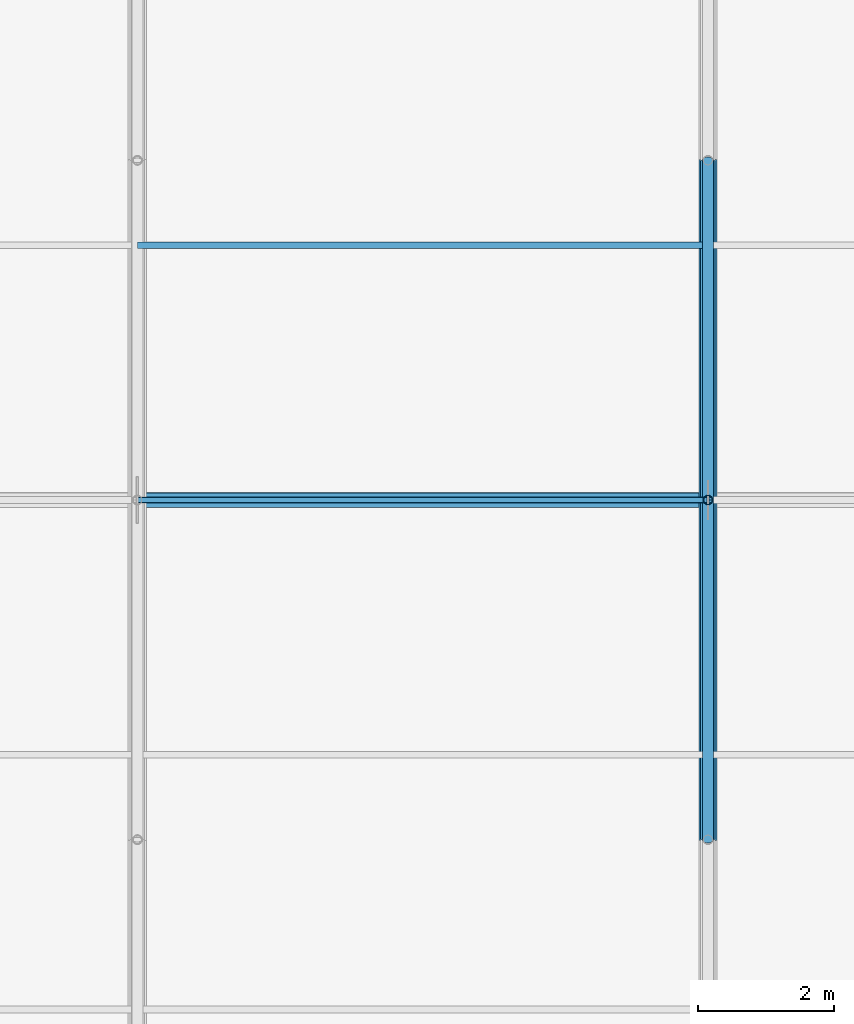
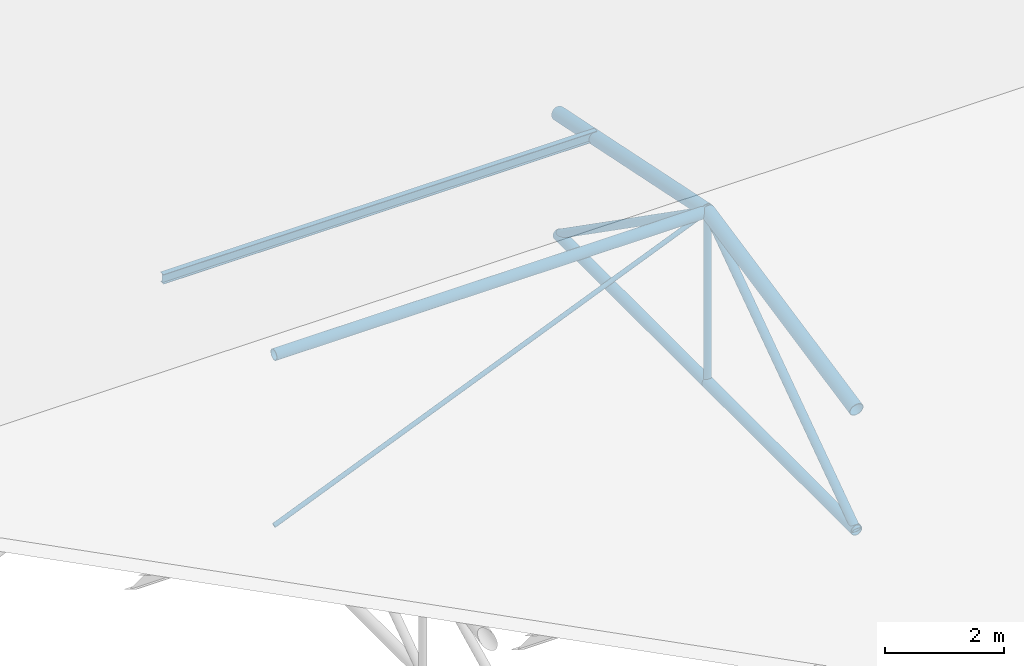
# One storey, part 43 of 194: 9 members, 1 beam.
"""IFC4 building model written with IfcOpenShell, lengths in metres."""

from ifc_helpers import new_model, si_unit, direction, frame, origin, origin_2d, place, context, subcontext, project, spatial, hollow_circle, i_section, extrude, material, material_profile, profile_set, type_object, element, save


model = new_model("IFC4")

# Units and contexts
model_context = context("Model", 3, precision=1e-05, world=origin(), true_north=direction((0.0, 1.0)))
body_context = subcontext(model_context, "Body", "Model", "MODEL_VIEW")
ifc_project = project(units=[si_unit("LENGTHUNIT", "METRE"), si_unit("AREAUNIT", "SQUARE_METRE"), si_unit("VOLUMEUNIT", "CUBIC_METRE"), si_unit("PLANEANGLEUNIT", "RADIAN"), si_unit("MASSUNIT", "GRAM", prefix="KILO")], contexts=[model_context])

# Site, building, storey
site_placement = place(None, origin())
site = spatial("IfcSite", under=ifc_project, at=site_placement, CompositionType="ELEMENT")
building_placement = place(site_placement, origin())
building = spatial("IfcBuilding", under=site, at=building_placement, Name="Kazenagashi Tramway Depot", CompositionType="ELEMENT")
storey_placement = place(building_placement, frame((0.0, 0.0, 23.7)))
storey = spatial("IfcBuildingStorey", under=building, at=storey_placement, Name="ROOF", CompositionType="ELEMENT", Elevation=23.7)

# Beam
ifc_material_1 = material(Name="Steel SN400B", Category="steel")
ifc_material_profile_1 = material_profile(ifc_material_1, i_section(OverallWidth=0.1, OverallDepth=0.2, WebThickness=0.0055, FlangeThickness=0.008, at=origin_2d()), Name="H-200x100x5.5x8")
ifc_profile_set_1 = profile_set([ifc_material_profile_1], Name="Steel SN400B")
beam_type = type_object("IfcBeamType", Name="PR-01", PredefinedType="USERDEFINED", material=ifc_profile_set_1)
beam_placement = place(storey_placement, frame((61.6, 118.75, -11.305), z_axis=(1.0, 0.0, 0.0), x_axis=(0.0, 1.0, 0.0)))
element("IfcBeam", 1, at=beam_placement, inside=storey, type_object=beam_type, Name="Beam PR-01 BM-2182", ObjectType="PURLIN", PredefinedType="USERDEFINED", context=body_context, shape_type="SweptSolid", body=[
    extrude(i_section(OverallWidth=0.1, OverallDepth=0.2, WebThickness=0.0055, FlangeThickness=0.008, at=origin_2d()), origin(), (0.0, 0.0, 1.0), 8.4),
])

# Members
ifc_material_2 = material(Name="Steel STK490", Category="steel")
ifc_material_profile_2 = material_profile(ifc_material_2, hollow_circle(Radius=0.1337, WallThickness=0.0093, at=origin_2d()), Name="CHS-267.4x9.3")
ifc_profile_set_2 = profile_set([ifc_material_profile_2], Name="Steel STK490")
member_type_1 = type_object("IfcMemberType", Name="TC-01", PredefinedType="CHORD", material=ifc_profile_set_2)
for number, where, z_axis, x_axis, name in (
    (2, (70.0, 110.0, -11.633), (0.0, 0.979317999984, 0.202327098797), (-1.0, 0.0, 0.0), "Tubular Space Frame TC-01 MEM-0221"),
    (3, (70.0, 115.0, -10.6), (0.0, 0.979317999984, -0.202327098797), (-1.0, 0.0, 0.0), "Tubular Space Frame TC-01 MEM-0224"),
):
    element("IfcMember", number, at=place(storey_placement, frame(where, z_axis=z_axis, x_axis=x_axis)), inside=storey, type_object=member_type_1, Name=name, PredefinedType="CHORD", context=body_context, shape_type="SweptSolid", body=[
        extrude(hollow_circle(Radius=0.1337, WallThickness=0.0093, at=origin_2d()), origin(), (0.0, 0.0, 1.0), 5.105594),
    ])
ifc_material_profile_3 = material_profile(ifc_material_2, hollow_circle(Radius=0.10815, WallThickness=0.0082, at=origin_2d()), Name="CHS-216.3x8.2")
ifc_profile_set_3 = profile_set([ifc_material_profile_3], Name="Steel STK490")
member_type_2 = type_object("IfcMemberType", Name="TC-02", PredefinedType="CHORD", material=ifc_profile_set_3)
member_1_placement = place(storey_placement, frame((61.6, 115.0, -10.6), z_axis=(1.0, 0.0, 0.0), x_axis=(0.0, 1.0, 0.0)))
element("IfcMember", 4, at=member_1_placement, inside=storey, type_object=member_type_2, Name="Tubular Space Frame TC-02 MEM-0180", PredefinedType="CHORD", context=body_context, shape_type="SweptSolid", body=[
    extrude(hollow_circle(Radius=0.10815, WallThickness=0.0082, at=origin_2d()), origin(), (0.0, 0.0, 1.0), 8.4),
])
for number, where, z_axis, x_axis, name in (
    (5, (70.0, 110.0, -14.1), (0.0, 1.0, 0.0), (-1.0, 0.0, 0.0), "Tubular Space Frame TC-02 MEM-0222"),
    (6, (70.0, 115.0, -14.1), (0.0, 1.0, 0.0), (-1.0, 0.0, 0.0), "Tubular Space Frame TC-02 MEM-0225"),
):
    element("IfcMember", number, at=place(storey_placement, frame(where, z_axis=z_axis, x_axis=x_axis)), inside=storey, type_object=member_type_2, Name=name, PredefinedType="CHORD", context=body_context, shape_type="SweptSolid", body=[
        extrude(hollow_circle(Radius=0.10815, WallThickness=0.0082, at=origin_2d()), origin(), (0.0, 0.0, 1.0), 5.0),
    ])
ifc_material_profile_4 = material_profile(ifc_material_2, hollow_circle(Radius=0.0826, WallThickness=0.0071, at=origin_2d()), Name="CHS-165.2x7.1")
ifc_profile_set_4 = profile_set([ifc_material_profile_4], Name="Steel STK490")
member_type_3 = type_object("IfcMemberType", Name="TS-01", PredefinedType="STRUT", material=ifc_profile_set_4)
for number, where, z_axis, x_axis, name in (
    (7, (70.0, 110.0, -14.1), (0.0, 0.819231920519, 0.573462344363), (-1.0, 0.0, 0.0), "Tubular Space Frame TS-01 MEM-0223"),
    (8, (70.0, 115.0, -10.6), (0.0, 0.819231920519, -0.573462344363), (-1.0, 0.0, 0.0), "Tubular Space Frame TS-01 MEM-0226"),
):
    element("IfcMember", number, at=place(storey_placement, frame(where, z_axis=z_axis, x_axis=x_axis)), inside=storey, type_object=member_type_3, Name=name, PredefinedType="STRUT", context=body_context, shape_type="SweptSolid", body=[
        extrude(hollow_circle(Radius=0.0826, WallThickness=0.0071, at=origin_2d()), origin(), (0.0, 0.0, 1.0), 6.103278),
    ])
ifc_material_profile_5 = material_profile(ifc_material_2, hollow_circle(Radius=0.0699, WallThickness=0.0066, at=origin_2d()), Name="CHS-139.8x6.6")
ifc_profile_set_5 = profile_set([ifc_material_profile_5], Name="Steel STK490")
member_type_4 = type_object("IfcMemberType", Name="TS-02", PredefinedType="STRUT", material=ifc_profile_set_5)
member_2_placement = place(storey_placement, frame((70.0, 115.0, -14.1), z_axis=(0.0, 0.0, 1.0), x_axis=(1.0, 0.0, 0.0)))
element("IfcMember", 9, at=member_2_placement, inside=storey, type_object=member_type_4, Name="Tubular Space Frame TS-02 MEM-0235", PredefinedType="STRUT", context=body_context, shape_type="SweptSolid", body=[
    extrude(hollow_circle(Radius=0.0699, WallThickness=0.0066, at=origin_2d()), origin(), (0.0, 0.0, 1.0), 3.5),
])
ifc_material_3 = material(Name="Steel STK400", Category="steel")
ifc_material_profile_6 = material_profile(ifc_material_3, hollow_circle(Radius=0.04455, WallThickness=0.0042, at=origin_2d()), Name="CHS-89.1x4.2")
ifc_profile_set_6 = profile_set([ifc_material_profile_6], Name="Steel STK400")
member_type_5 = type_object("IfcMemberType", Name="TS-04", PredefinedType="STRUT", material=ifc_profile_set_6)
member_3_placement = place(storey_placement, frame((61.6, 115.0, -14.1), z_axis=(0.923076923077, 0.0, 0.384615384615), x_axis=(0.0, 1.0, 0.0)))
element("IfcMember", 10, at=member_3_placement, inside=storey, type_object=member_type_5, Name="Tubular Space Frame TS-04 MEM-0181", PredefinedType="STRUT", context=body_context, shape_type="SweptSolid", body=[
    extrude(hollow_circle(Radius=0.04455, WallThickness=0.0042, at=origin_2d()), origin(), (0.0, 0.0, 1.0), 9.1),
])

save(model, "model.ifc")
